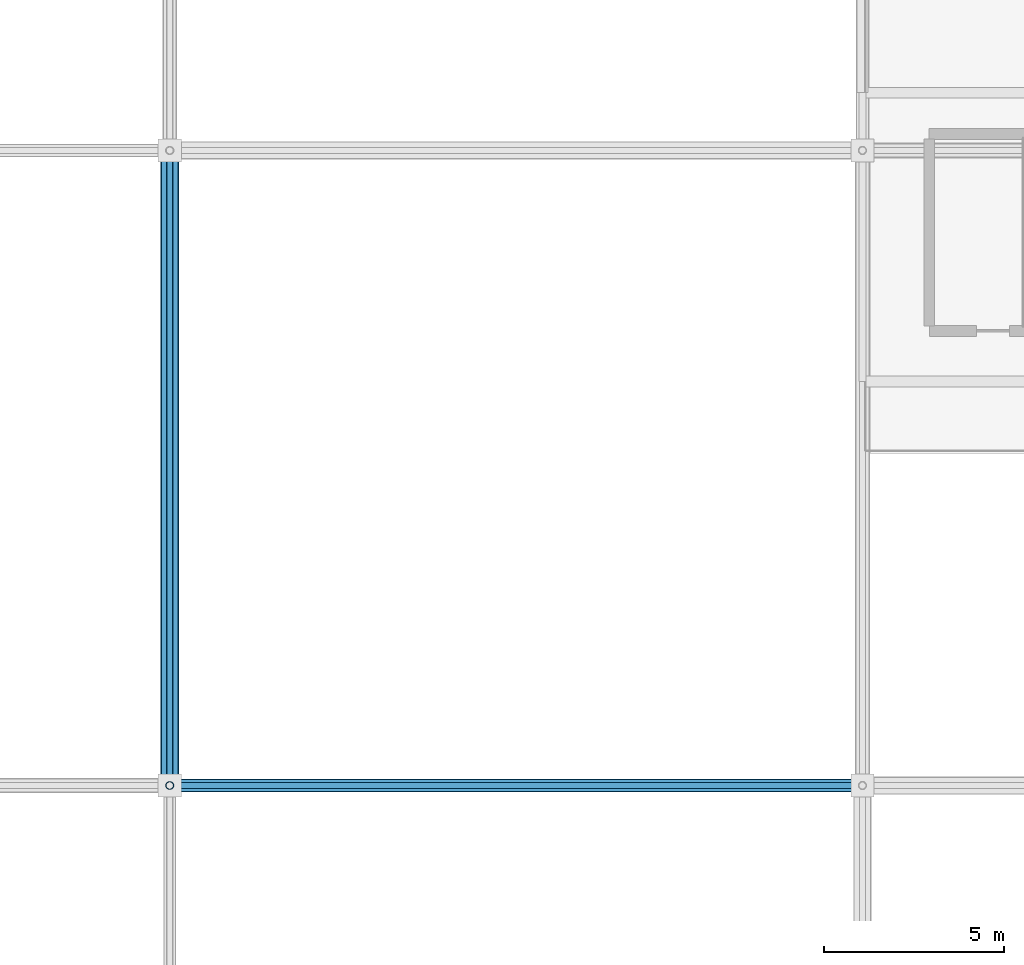
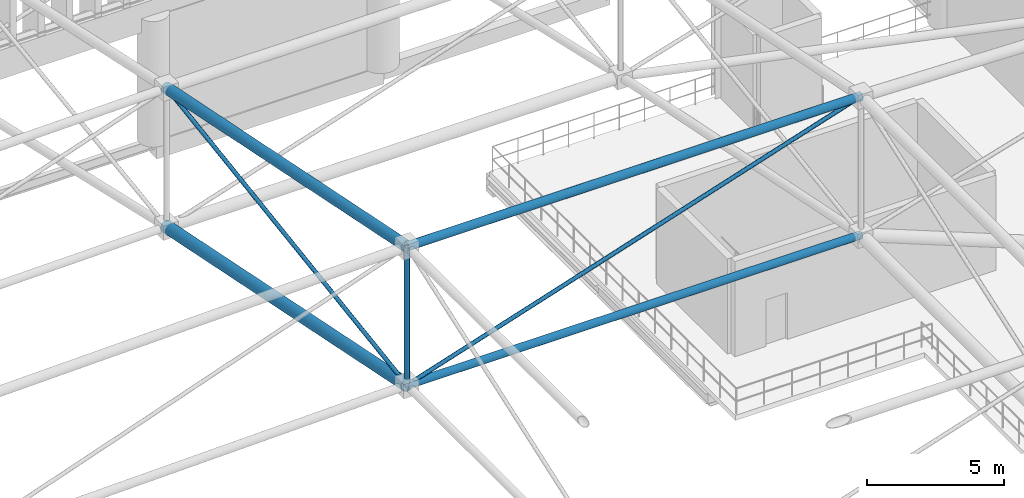
# One storey, part 68 of 193: 7 members.
"""IFC4 building model written with IfcOpenShell, lengths in metres."""

from ifc_helpers import new_model, si_unit, direction, frame, origin, origin_2d, place, context, subcontext, project, spatial, hollow_circle, extrude, material, material_profile, profile_set, type_object, element, save


model = new_model("IFC4")

# Units and contexts
model_context = context("Model", 3, precision=1e-05, world=origin(), true_north=direction((0.0, 1.0)))
body_context = subcontext(model_context, "Body", "Model", "MODEL_VIEW")
ifc_project = project(units=[si_unit("LENGTHUNIT", "METRE"), si_unit("AREAUNIT", "SQUARE_METRE"), si_unit("VOLUMEUNIT", "CUBIC_METRE"), si_unit("PLANEANGLEUNIT", "RADIAN"), si_unit("MASSUNIT", "GRAM", prefix="KILO")], contexts=[model_context])

# Site, building, storey
site_placement = place(None, origin())
site = spatial("IfcSite", under=ifc_project, at=site_placement, CompositionType="ELEMENT")
building_placement = place(site_placement, origin())
building = spatial("IfcBuilding", under=site, at=building_placement, Name="Danafjord Basin Convention Centre", CompositionType="ELEMENT")
storey_placement = place(building_placement, frame((0.0, 0.0, 11.39990234375)))
storey = spatial("IfcBuildingStorey", under=building, at=storey_placement, Name="L02", CompositionType="ELEMENT", Elevation=11.39990234375)

# Members
ifc_material = material(Name="Steel S355", Category="steel")
ifc_material_profile_1 = material_profile(ifc_material, hollow_circle(Radius=0.161865234375, WallThickness=0.01611328125, at=origin_2d()), Name="CHS 323.9x16.0")
ifc_profile_set_1 = profile_set([ifc_material_profile_1], Name="Steel S355")
member_type_1 = type_object("IfcMemberType", Name="MEM-CH-CHS324", PredefinedType="CHORD", material=ifc_profile_set_1)
member_1_placement = place(storey_placement, frame((76.800048828125, 108.800048828125, 13.655517578125), z_axis=(1.0, 0.0, 0.0), x_axis=(0.0, 1.0, 0.0)))
element("IfcMember", 1, at=member_1_placement, inside=storey, type_object=member_type_1, Name="V1 roof truss longitudinal bottom chord", PredefinedType="CHORD", context=body_context, shape_type="SweptSolid", body=[
    extrude(hollow_circle(Radius=0.161865234375, WallThickness=0.01611328125, at=origin_2d()), origin(), (0.0, 0.0, 1.0), 19.199951171875),
])
ifc_material_profile_2 = material_profile(ifc_material, hollow_circle(Radius=0.177734375, WallThickness=0.01611328125, at=origin_2d()), Name="CHS 355.6x16.0")
ifc_profile_set_2 = profile_set([ifc_material_profile_2], Name="Steel S355")
member_type_2 = type_object("IfcMemberType", Name="MEM-CH-CHS355", PredefinedType="CHORD", material=ifc_profile_set_2)
member_2_placement = place(storey_placement, frame((76.800048828125, 108.800048828125, 19.85546875), z_axis=(1.0, 0.0, 0.0), x_axis=(0.0, 1.0, 0.0)))
element("IfcMember", 2, at=member_2_placement, inside=storey, type_object=member_type_2, Name="V1 roof truss longitudinal top chord", PredefinedType="CHORD", context=body_context, shape_type="SweptSolid", body=[
    extrude(hollow_circle(Radius=0.177734375, WallThickness=0.01611328125, at=origin_2d()), origin(), (0.0, 0.0, 1.0), 19.199951171875),
])
ifc_material_profile_3 = material_profile(ifc_material, hollow_circle(Radius=0.228515625, WallThickness=0.02001953125, at=origin_2d()), Name="CHS 457.0x20.0")
ifc_profile_set_3 = profile_set([ifc_material_profile_3], Name="Steel S355")
member_type_3 = type_object("IfcMemberType", Name="MEM-CH-CHS457", PredefinedType="CHORD", material=ifc_profile_set_3)
member_3_placement = place(storey_placement, frame((76.800048828125, 108.800048828125, 19.85546875), z_axis=(0.0, 0.979883982164, -0.199567987157), x_axis=(-1.0, 0.0, 0.0)))
element("IfcMember", 3, at=member_3_placement, inside=storey, type_object=member_type_3, Name="V1 roof truss transverse top chord", PredefinedType="CHORD", context=body_context, shape_type="SweptSolid", body=[
    extrude(hollow_circle(Radius=0.228515625, WallThickness=0.02001953125, at=origin_2d()), origin(), (0.0, 0.0, 1.0), 17.961181640625),
])
ifc_material_profile_4 = material_profile(ifc_material, hollow_circle(Radius=0.25390625, WallThickness=0.02490234375, at=origin_2d()), Name="CHS 508.0x25.0")
ifc_profile_set_4 = profile_set([ifc_material_profile_4], Name="Steel S355")
member_type_4 = type_object("IfcMemberType", Name="MEM-CH-CHS508", PredefinedType="CHORD", material=ifc_profile_set_4)
member_4_placement = place(storey_placement, frame((76.800048828125, 108.800048828125, 13.655517578125), z_axis=(0.0, 0.979881323985, -0.19958103844), x_axis=(-1.0, 0.0, 0.0)))
element("IfcMember", 4, at=member_4_placement, inside=storey, type_object=member_type_4, Name="V1 roof truss transverse bottom chord", PredefinedType="CHORD", context=body_context, shape_type="SweptSolid", body=[
    extrude(hollow_circle(Radius=0.25390625, WallThickness=0.02490234375, at=origin_2d()), origin(), (0.0, 0.0, 1.0), 17.961181640625),
])
ifc_material_profile_5 = material_profile(ifc_material, hollow_circle(Radius=0.109619140625, WallThickness=0.010009765625, at=origin_2d()), Name="CHS 219.1x10.0")
ifc_profile_set_5 = profile_set([ifc_material_profile_5], Name="Steel S355")
member_type_5 = type_object("IfcMemberType", Name="MEM-ST-CHS219", PredefinedType="STRUT", material=ifc_profile_set_5)
member_5_placement = place(storey_placement, frame((76.800048828125, 108.800048828125, 13.655517578125), z_axis=(0.0, 0.0, 1.0), x_axis=(1.0, 0.0, 0.0)))
element("IfcMember", 5, at=member_5_placement, inside=storey, type_object=member_type_5, Name="V1 roof truss vertical strut", PredefinedType="STRUT", context=body_context, shape_type="SweptSolid", body=[
    extrude(hollow_circle(Radius=0.109619140625, WallThickness=0.010009765625, at=origin_2d()), origin(), (0.0, 0.0, 1.0), 6.199951171875),
])
ifc_material_profile_6 = material_profile(ifc_material, hollow_circle(Radius=0.084228515625, WallThickness=0.008056640625, at=origin_2d()), Name="CHS 168.3x8.0")
ifc_profile_set_6 = profile_set([ifc_material_profile_6], Name="Steel S355")
member_type_6 = type_object("IfcMemberType", Name="MEM-WB-CHS168", PredefinedType="MEMBER", material=ifc_profile_set_6)
member_6_placement = place(storey_placement, frame((76.800048828125, 108.800048828125, 13.655517578125), z_axis=(0.951615625356, 0.0, 0.307290907086), x_axis=(0.0, 1.0, 0.0)))
element("IfcMember", 6, at=member_6_placement, inside=storey, type_object=member_type_6, Name="V1 space-frame longitudinal web", PredefinedType="MEMBER", context=body_context, shape_type="SweptSolid", body=[
    extrude(hollow_circle(Radius=0.084228515625, WallThickness=0.008056640625, at=origin_2d()), origin(), (0.0, 0.0, 1.0), 20.17626953125),
])
member_7_placement = place(storey_placement, frame((76.800048828125, 108.800048828125, 13.655517578125), z_axis=(0.0, 0.98913742748, 0.146993705844), x_axis=(-1.0, 0.0, 0.0)))
element("IfcMember", 7, at=member_7_placement, inside=storey, type_object=member_type_6, Name="V1 space-frame transverse web", PredefinedType="MEMBER", context=body_context, shape_type="SweptSolid", body=[
    extrude(hollow_circle(Radius=0.084228515625, WallThickness=0.008056640625, at=origin_2d()), origin(), (0.0, 0.0, 1.0), 17.793212890625),
])

save(model, "model.ifc")
